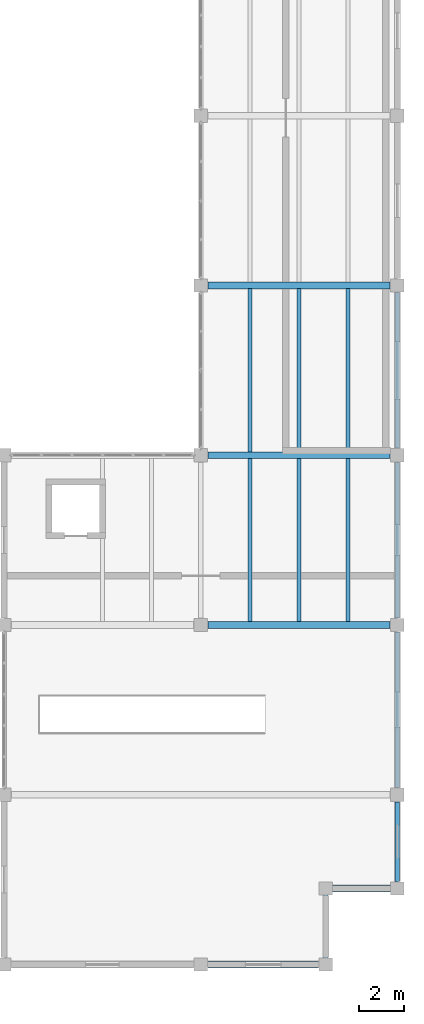
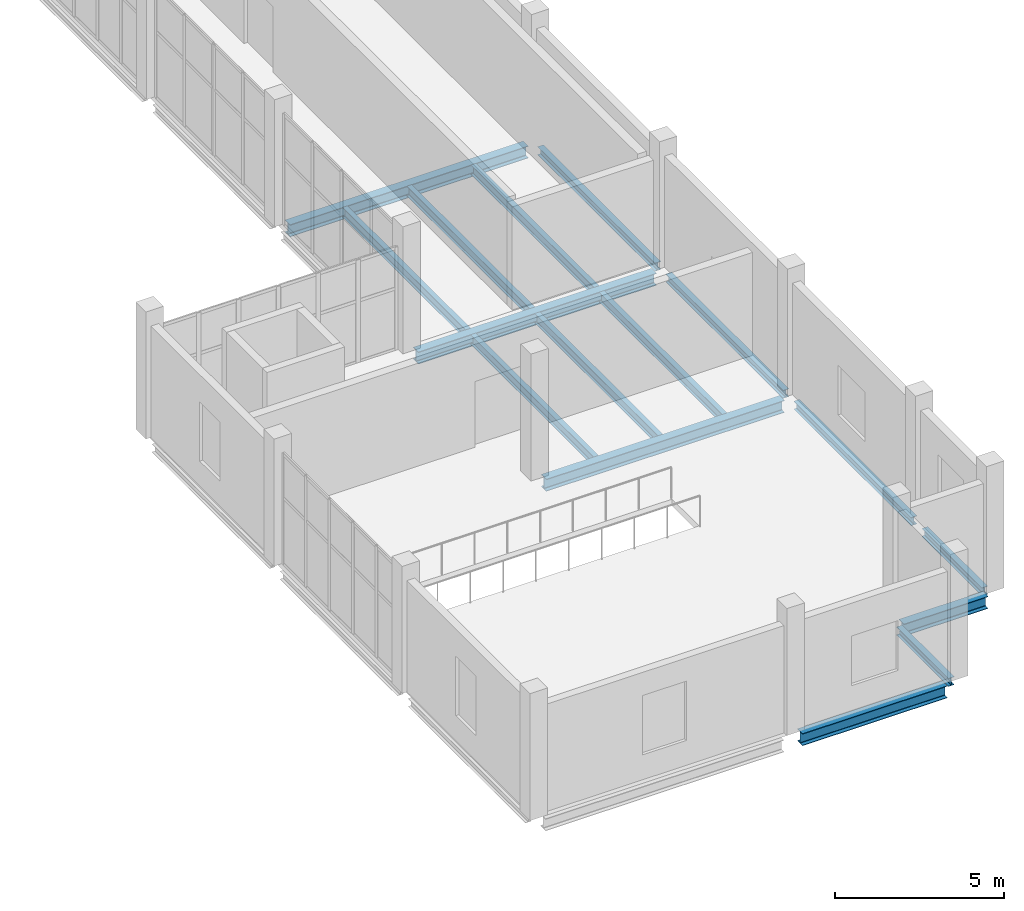
# One storey, part 72 of 136: 16 beams.
"""IFC4 building model written with IfcOpenShell, lengths in metres."""

import ifcopenshell
import ifcopenshell.guid

model = None  # the IFC model being written
_history = None  # IfcOwnerHistory: only IFC2X3 demands one
_inside = {}  # id of a spatial element -> (the spatial element, [elements in it])
_under = {}  # id of a project, library or spatial element -> (it, [spatial elements below it])
_declared = {}  # id of a project -> (the project, [libraries it declares])
_typed = {}  # id of a type object -> (the type object, [elements of that type])
_made_of = {}  # id of a material, layer set ... -> (it, [elements and type objects made of it])


def new_model(schema):
    """Start an empty IFC model of exactly this schema.

    Asked for "IFC4X3", IfcOpenShell would pick the latest addendum, in which some entities
    have other attributes; the version numbers below select the first issue.
    IFC2X3 requires an IfcOwnerHistory on every rooted entity: one is made here for all.
    """
    global model, _history
    if schema == "IFC4X3":
        model = ifcopenshell.file(schema_version=(4, 3, 0, 0))
    else:
        model = ifcopenshell.file(schema=schema)
    _inside.clear()
    _under.clear()
    _declared.clear()
    _typed.clear()
    _made_of.clear()
    _history = None
    if model.schema == "IFC2X3":
        org = make("IfcOrganization", Name="unknown")
        user = make(
            "IfcPersonAndOrganization",
            ThePerson=make("IfcPerson", FamilyName="unknown"),
            TheOrganization=org,
        )
        app = make(
            "IfcApplication",
            ApplicationDeveloper=org,
            Version="unknown",
            ApplicationFullName="unknown",
            ApplicationIdentifier="unknown",
        )
        _history = make(
            "IfcOwnerHistory",
            OwningUser=user,
            OwningApplication=app,
            ChangeAction="ADDED",
            CreationDate=0,
        )
    return model


def make(cls, **values):
    """One entity of the class cls with the attributes given. An attribute that is None is left unset."""
    return model.create_entity(
        cls, **{name: value for name, value in values.items() if value is not None}
    )


def rooted(cls, **values):
    """An entity with a GlobalId (a new one), such as an element, a storey or a relation."""
    return make(cls, GlobalId=ifcopenshell.guid.new(), OwnerHistory=_history, **values)


def si_unit(unit_type, name, prefix=None):
    """IfcSIUnit, for example si_unit("LENGTHUNIT", "METRE", prefix="MILLI")."""
    return make("IfcSIUnit", UnitType=unit_type, Prefix=prefix, Name=name)


def assignment(units):
    """IfcUnitAssignment: the units of a project."""
    return None if units is None else make("IfcUnitAssignment", Units=units)


def point(xyz):
    """IfcCartesianPoint."""
    return None if xyz is None else make("IfcCartesianPoint", Coordinates=xyz)


def direction(xyz):
    """IfcDirection."""
    return None if xyz is None else make("IfcDirection", DirectionRatios=xyz)


def frame(location, z_axis=None, x_axis=None):
    """IfcAxis2Placement3D, a coordinate frame: its origin and axes. An axis left out is left unset."""
    return make(
        "IfcAxis2Placement3D",
        Location=point(location),
        Axis=direction(z_axis),
        RefDirection=direction(x_axis),
    )


def frame_2d(location, x_axis=None):
    """IfcAxis2Placement2D, a coordinate frame in the plane: its origin and x axis."""
    return make(
        "IfcAxis2Placement2D", Location=point(location), RefDirection=direction(x_axis)
    )


def origin():
    """The frame at (0, 0, 0) with its axes left unset."""
    return frame((0.0, 0.0, 0.0))


def origin_2d():
    """The frame at (0, 0) in the plane with its x axis left unset."""
    return frame_2d((0.0, 0.0))


def place(relative_to, where):
    """IfcLocalPlacement: puts the frame where relative to a parent placement (None: the world)."""
    return make(
        "IfcLocalPlacement", PlacementRelTo=relative_to, RelativePlacement=where
    )


def context(
    kind, dimensions, precision=None, world=None, true_north=None, identifier=None
):
    """IfcGeometricRepresentationContext, for example the 3D "Model" context."""
    return make(
        "IfcGeometricRepresentationContext",
        ContextIdentifier=identifier,
        ContextType=kind,
        CoordinateSpaceDimension=dimensions,
        Precision=precision,
        WorldCoordinateSystem=world,
        TrueNorth=true_north,
    )


def subcontext(parent, identifier, kind, view, scale=None):
    """IfcGeometricRepresentationSubContext, for example "Body" below "Model"."""
    return make(
        "IfcGeometricRepresentationSubContext",
        ContextIdentifier=identifier,
        ContextType=kind,
        ParentContext=parent,
        TargetScale=scale,
        TargetView=view,
    )


def project(units=None, contexts=None):
    """IfcProject with its units and contexts."""
    return rooted(
        "IfcProject",
        Name="project",
        RepresentationContexts=contexts,
        UnitsInContext=assignment(units),
    )


def spatial(cls, under=None, at=None, **own):
    """A site, building, storey or space (cls), placed at a placement, below another one or the project."""
    s = rooted(cls, ObjectPlacement=at, **own)
    if under is not None:
        _under.setdefault(under.id(), (under, []))[1].append(s)
    return s


def profile(cls, at=None, kind="AREA", **sizes):
    """A parametric profile (cls). Its sizes go by their IFC names, for example OverallWidth=200.0."""
    return make(cls, ProfileType=kind, Position=at, **sizes)


def i_section(**sizes):
    """IfcIShapeProfileDef."""
    return profile("IfcIShapeProfileDef", **sizes)


def extrude(swept, where, along, depth):
    """IfcExtrudedAreaSolid: the profile swept, set in the frame where, extruded along a direction by depth."""
    return make(
        "IfcExtrudedAreaSolid",
        SweptArea=swept,
        Position=where,
        ExtrudedDirection=direction(along),
        Depth=depth,
    )


def shape(context_of_items, identifier, shape_type, items):
    """IfcShapeRepresentation: the items that make up one representation, for example the "Body"."""
    return make(
        "IfcShapeRepresentation",
        ContextOfItems=context_of_items,
        RepresentationIdentifier=identifier,
        RepresentationType=shape_type,
        Items=items,
    )


def material(Name=None, Category=None):
    """IfcMaterial."""
    return make("IfcMaterial", Name=Name, Category=Category)


def material_profile(
    of_material, cross_section, Name=None, Category=None, Priority=None
):
    """IfcMaterialProfile: a cross section and its material."""
    return make(
        "IfcMaterialProfile",
        Name=Name,
        Material=of_material,
        Profile=cross_section,
        Priority=Priority,
        Category=Category,
    )


def profile_set(profiles, Name=None, composite=None):
    """IfcMaterialProfileSet."""
    return make(
        "IfcMaterialProfileSet",
        Name=Name,
        MaterialProfiles=profiles,
        CompositeProfile=composite,
    )


def made_of(thing, what):
    """Note that an element or type object is made of a material, layer set ...; save() writes the relation."""
    if what is not None:
        _made_of.setdefault(what.id(), (what, []))[1].append(thing)
    return thing


def type_object(cls, material=None, **own):
    """A type object (cls), such as IfcWallType, which elements share."""
    return made_of(rooted(cls, **own), material)


def element(
    cls,
    number,
    at=None,
    inside=None,
    cuts=None,
    type_object=None,
    material=None,
    context=None,
    identifier="Body",
    shape_type=None,
    held_by="IfcProductDefinitionShape",
    body=None,
    shapes=None,
    **own,
):
    """One element of the class cls, such as IfcWall. Its Tag is "e" and its number.

    at: its placement. inside: the storey or other place that contains it. cuts: it is an
    opening in that element (IfcRelVoidsElement). A single representation is given by context,
    identifier, shape_type and body (its items); several are given by shapes. held_by: the class
    of the entity that holds the representations. save() writes the other relations.
    """
    e = rooted(cls, Tag="e%d" % number, ObjectPlacement=at, **own)
    if body is not None:
        shapes = [shape(context, identifier, shape_type, body)]
    if shapes is not None:
        e.Representation = make(held_by, Representations=shapes)
    if inside is not None:
        _inside.setdefault(inside.id(), (inside, []))[1].append(e)
    if cuts is not None:
        rooted(
            "IfcRelVoidsElement", RelatingBuildingElement=cuts, RelatedOpeningElement=e
        )
    if type_object is not None:
        _typed.setdefault(type_object.id(), (type_object, []))[1].append(e)
    return made_of(e, material)


def aggregate(whole, parts):
    """IfcRelAggregates: a whole, such as a stair, and the parts it consists of."""
    return rooted("IfcRelAggregates", RelatingObject=whole, RelatedObjects=parts)


def save(model, path):
    """Write the relations noted so far, then the file.

    IfcRelAggregates (storeys below a building ...), IfcRelContainedInSpatialStructure (elements
    in a storey), IfcRelDefinesByType, IfcRelAssociatesMaterial and IfcRelDeclares: one each for
    every whole, place, type object, material and project.
    """
    for whole, parts in _under.values():
        aggregate(whole, parts)
    for where, things in _inside.values():
        rooted(
            "IfcRelContainedInSpatialStructure",
            RelatedElements=things,
            RelatingStructure=where,
        )
    for kind, things in _typed.values():
        rooted("IfcRelDefinesByType", RelatedObjects=things, RelatingType=kind)
    for what, things in _made_of.values():
        rooted("IfcRelAssociatesMaterial", RelatedObjects=things, RelatingMaterial=what)
    for by, libraries in _declared.values():
        rooted("IfcRelDeclares", RelatingContext=by, RelatedDefinitions=libraries)
    model.write(path)


model = new_model("IFC4")

# Units and contexts
model_context = context("Model", 3, precision=1e-05, world=origin(), true_north=direction((0.0, 1.0)))
body_context = subcontext(model_context, "Body", "Model", "MODEL_VIEW")
ifc_project = project(units=[si_unit("LENGTHUNIT", "METRE"), si_unit("AREAUNIT", "SQUARE_METRE"), si_unit("VOLUMEUNIT", "CUBIC_METRE"), si_unit("PLANEANGLEUNIT", "RADIAN"), si_unit("MASSUNIT", "GRAM", prefix="KILO")], contexts=[model_context])

# Site, building, storey
site_placement = place(None, origin())
site = spatial("IfcSite", under=ifc_project, at=site_placement, CompositionType="ELEMENT")
building_placement = place(site_placement, origin())
building = spatial("IfcBuilding", under=site, at=building_placement, Name="Shengluoqiao Park Theatre", CompositionType="ELEMENT")
storey_placement = place(building_placement, frame((0.0, 0.0, 10.0)))
storey = spatial("IfcBuildingStorey", under=building, at=storey_placement, Name="L02", CompositionType="ELEMENT", Elevation=10.0)

# Beams
ifc_material = material(Name="Steel Q355", Category="steel")
ifc_material_profile_1 = material_profile(ifc_material, i_section(OverallWidth=0.199951171875, OverallDepth=0.2939453125, WebThickness=0.008056640625, FlangeThickness=0.011962890625, FilletRadius=0.01611328125, at=origin_2d()), Name="HM 294x200x8x12")
ifc_profile_set_1 = profile_set([ifc_material_profile_1], Name="Steel Q355")
beam_type_1 = type_object("IfcBeamType", Name="STR-BM-G-HM294", PredefinedType="BEAM", material=ifc_profile_set_1)
beam_1_placement = place(storey_placement, frame((166.0, 23.118896484375, -0.386962890625), z_axis=(0.0, 1.0, 0.0), x_axis=(-1.0, 0.0, 0.0)))
element("IfcBeam", 1, at=beam_1_placement, inside=storey, type_object=beam_type_1, Name="L02 Transverse Girder 01159", PredefinedType="BEAM", context=body_context, shape_type="SweptSolid", body=[
    extrude(i_section(OverallWidth=0.199951171875, OverallDepth=0.2939453125, WebThickness=0.008056640625, FlangeThickness=0.011962890625, FilletRadius=0.01611328125, at=origin_2d()), origin(), (0.0, 0.0, 1.0), 6.962158203125),
])
beam_2_placement = place(storey_placement, frame((166.0, 3.718994140625, -0.386962890625), z_axis=(0.0, 1.0, 0.0), x_axis=(-1.0, 0.0, 0.0)))
element("IfcBeam", 2, at=beam_2_placement, inside=storey, type_object=beam_type_1, Name="L02 Transverse Girder 01195", PredefinedType="BEAM", context=body_context, shape_type="SweptSolid", body=[
    extrude(i_section(OverallWidth=0.199951171875, OverallDepth=0.2939453125, WebThickness=0.008056640625, FlangeThickness=0.011962890625, FilletRadius=0.01611328125, at=origin_2d()), origin(), (0.0, 0.0, 1.0), 3.56201171875),
])
beam_3_placement = place(storey_placement, frame((166.0, 7.9189453125, -0.386962890625), z_axis=(0.0, 1.0, 0.0), x_axis=(-1.0, 0.0, 0.0)))
element("IfcBeam", 3, at=beam_3_placement, inside=storey, type_object=beam_type_1, Name="L02 Transverse Girder 01196", PredefinedType="BEAM", context=body_context, shape_type="SweptSolid", body=[
    extrude(i_section(OverallWidth=0.199951171875, OverallDepth=0.2939453125, WebThickness=0.008056640625, FlangeThickness=0.011962890625, FilletRadius=0.01611328125, at=origin_2d()), origin(), (0.0, 0.0, 1.0), 6.962158203125),
])
beam_4_placement = place(storey_placement, frame((166.0, 15.51904296875, -0.386962890625), z_axis=(0.0, 1.0, 0.0), x_axis=(-1.0, 0.0, 0.0)))
element("IfcBeam", 4, at=beam_4_placement, inside=storey, type_object=beam_type_1, Name="L02 Transverse Girder 01197", PredefinedType="BEAM", context=body_context, shape_type="SweptSolid", body=[
    extrude(i_section(OverallWidth=0.199951171875, OverallDepth=0.2939453125, WebThickness=0.008056640625, FlangeThickness=0.011962890625, FilletRadius=0.01611328125, at=origin_2d()), origin(), (0.0, 0.0, 1.0), 6.9619140625),
])
beam_5_placement = place(storey_placement, frame((162.800048828125, 0.159912109375, -0.386962890625), z_axis=(0.0, 1.0, 0.0), x_axis=(-1.0, 0.0, 0.0)))
element("IfcBeam", 5, at=beam_5_placement, inside=storey, type_object=beam_type_1, Name="L02 V6 Corner Step Girder 011", PredefinedType="BEAM", context=body_context, shape_type="SweptSolid", body=[
    extrude(i_section(OverallWidth=0.199951171875, OverallDepth=0.2939453125, WebThickness=0.008056640625, FlangeThickness=0.011962890625, FilletRadius=0.01611328125, at=origin_2d()), origin(), (0.0, 0.0, 1.0), 3.080078125),
])
ifc_material_profile_2 = material_profile(ifc_material, i_section(OverallWidth=0.300048828125, OverallDepth=0.43994140625, WebThickness=0.010986328125, FlangeThickness=0.01806640625, FilletRadius=0.02001953125, at=origin_2d()), Name="HM 440x300x11x18")
ifc_profile_set_2 = profile_set([ifc_material_profile_2], Name="Steel Q355")
beam_type_2 = type_object("IfcBeamType", Name="STR-BM-G-HM440", PredefinedType="BEAM", material=ifc_profile_set_2)
for number, where, z_axis, x_axis, name in (
    (6, (157.51904296875, 22.800048828125, -0.4599609375), (1.0, 0.0, 0.0), (0.0, 1.0, 0.0), "L02 Primary Girder 01145"),
    (7, (157.51904296875, 30.39990234375, -0.4599609375), (1.0, 0.0, 0.0), (0.0, 1.0, 0.0), "L02 Primary Girder 01146"),
):
    element("IfcBeam", number, at=place(storey_placement, frame(where, z_axis=z_axis, x_axis=x_axis)), inside=storey, type_object=beam_type_2, Name=name, PredefinedType="BEAM", context=body_context, shape_type="SweptSolid", body=[
        extrude(i_section(OverallWidth=0.300048828125, OverallDepth=0.43994140625, WebThickness=0.010986328125, FlangeThickness=0.01806640625, FilletRadius=0.02001953125, at=origin_2d()), origin(), (0.0, 0.0, 1.0), 8.161865234375),
    ])
beam_6_placement = place(storey_placement, frame((157.51904296875, 0.0, -0.4599609375), z_axis=(1.0, 0.0, 0.0), x_axis=(0.0, 1.0, 0.0)))
element("IfcBeam", 8, at=beam_6_placement, inside=storey, type_object=beam_type_2, Name="L02 Primary Girder 01186", PredefinedType="BEAM", context=body_context, shape_type="SweptSolid", body=[
    extrude(i_section(OverallWidth=0.300048828125, OverallDepth=0.43994140625, WebThickness=0.010986328125, FlangeThickness=0.01806640625, FilletRadius=0.02001953125, at=origin_2d()), origin(), (0.0, 0.0, 1.0), 4.9619140625),
])
beam_7_placement = place(storey_placement, frame((157.51904296875, 15.199951171875, -0.4599609375), z_axis=(1.0, 0.0, 0.0), x_axis=(0.0, 1.0, 0.0)))
element("IfcBeam", 9, at=beam_7_placement, inside=storey, type_object=beam_type_2, Name="L02 Primary Girder 01189", PredefinedType="BEAM", context=body_context, shape_type="SweptSolid", body=[
    extrude(i_section(OverallWidth=0.300048828125, OverallDepth=0.43994140625, WebThickness=0.010986328125, FlangeThickness=0.01806640625, FilletRadius=0.02001953125, at=origin_2d()), origin(), (0.0, 0.0, 1.0), 8.161865234375),
])
beam_8_placement = place(storey_placement, frame((162.9599609375, 3.39990234375, -0.4599609375), z_axis=(1.0, 0.0, 0.0), x_axis=(0.0, 1.0, 0.0)))
element("IfcBeam", 10, at=beam_8_placement, inside=storey, type_object=beam_type_2, Name="L02 V6 Corner Step Girder 012", PredefinedType="BEAM", context=body_context, shape_type="SweptSolid", body=[
    extrude(i_section(OverallWidth=0.300048828125, OverallDepth=0.43994140625, WebThickness=0.010986328125, FlangeThickness=0.01806640625, FilletRadius=0.02001953125, at=origin_2d()), origin(), (0.0, 0.0, 1.0), 2.880126953125),
])
ifc_material_profile_3 = material_profile(ifc_material, i_section(OverallWidth=0.175048828125, OverallDepth=0.35009765625, WebThickness=0.007080078125, FlangeThickness=0.010986328125, FilletRadius=0.013916015625, at=origin_2d()), Name="HN 350x175x7x11")
ifc_profile_set_3 = profile_set([ifc_material_profile_3], Name="Steel Q355")
beam_type_3 = type_object("IfcBeamType", Name="STR-BM-J-HN350", PredefinedType="JOIST", material=ifc_profile_set_3)
for number, where, z_axis, x_axis, name in (
    (11, (159.39990234375, 22.945068359375, -0.4150390625), (0.0, 1.0, 0.0), (-1.0, 0.0, 0.0), "L02 Composite Joist 01167"),
    (12, (161.60009765625, 22.945068359375, -0.4150390625), (0.0, 1.0, 0.0), (-1.0, 0.0, 0.0), "L02 Composite Joist 01168"),
    (13, (163.800048828125, 22.945068359375, -0.4150390625), (0.0, 1.0, 0.0), (-1.0, 0.0, 0.0), "L02 Composite Joist 01169"),
):
    element("IfcBeam", number, at=place(storey_placement, frame(where, z_axis=z_axis, x_axis=x_axis)), inside=storey, type_object=beam_type_3, Name=name, PredefinedType="JOIST", context=body_context, shape_type="SweptSolid", body=[
        extrude(i_section(OverallWidth=0.175048828125, OverallDepth=0.35009765625, WebThickness=0.007080078125, FlangeThickness=0.010986328125, FilletRadius=0.013916015625, at=origin_2d()), origin(), (0.0, 0.0, 1.0), 7.309814453125),
    ])
for number, where, z_axis, x_axis, name in (
    (14, (159.39990234375, 15.344970703125, -0.4150390625), (0.0, 1.0, 0.0), (-1.0, 0.0, 0.0), "L02 Composite Joist 01200"),
    (15, (161.60009765625, 15.344970703125, -0.4150390625), (0.0, 1.0, 0.0), (-1.0, 0.0, 0.0), "L02 Composite Joist 01201"),
    (16, (163.800048828125, 15.344970703125, -0.4150390625), (0.0, 1.0, 0.0), (-1.0, 0.0, 0.0), "L02 Composite Joist 01202"),
):
    element("IfcBeam", number, at=place(storey_placement, frame(where, z_axis=z_axis, x_axis=x_axis)), inside=storey, type_object=beam_type_3, Name=name, PredefinedType="JOIST", context=body_context, shape_type="SweptSolid", body=[
        extrude(i_section(OverallWidth=0.175048828125, OverallDepth=0.35009765625, WebThickness=0.007080078125, FlangeThickness=0.010986328125, FilletRadius=0.013916015625, at=origin_2d()), origin(), (0.0, 0.0, 1.0), 7.31005859375),
    ])

save(model, "model.ifc")
